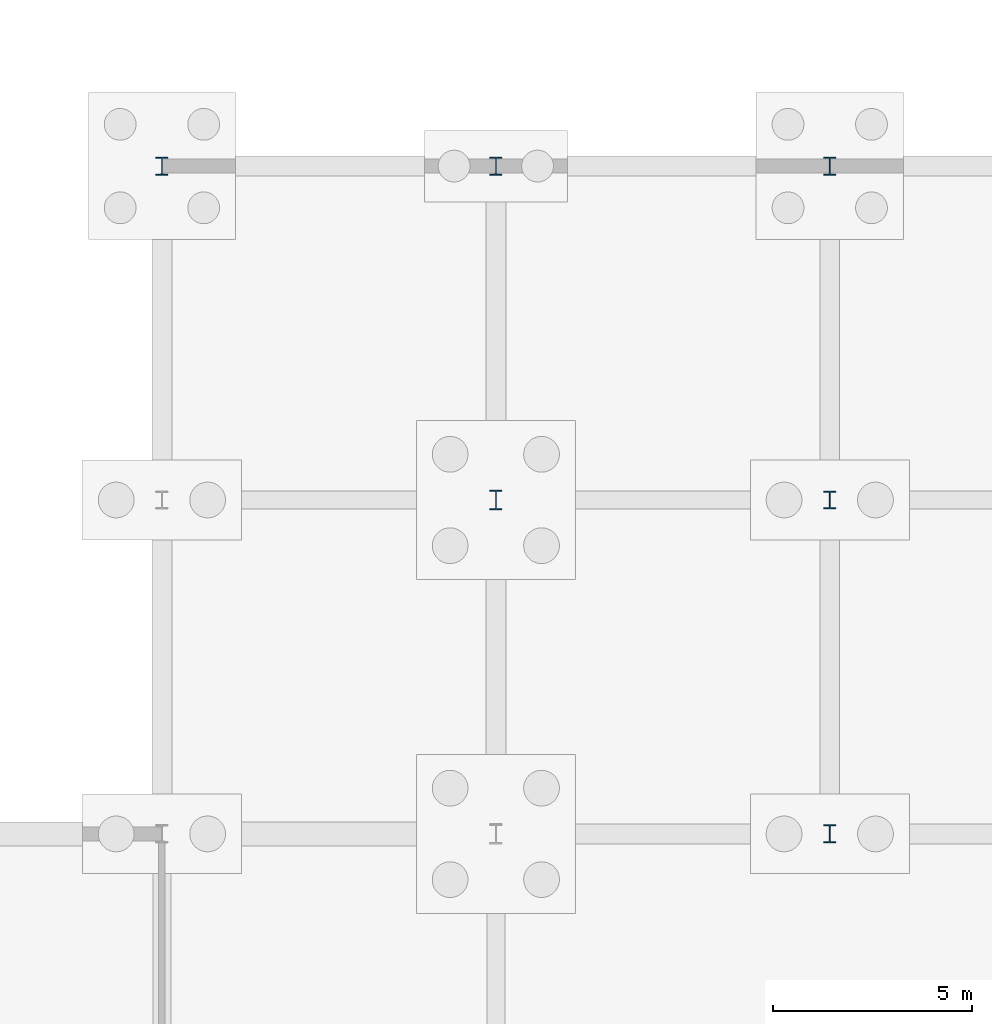
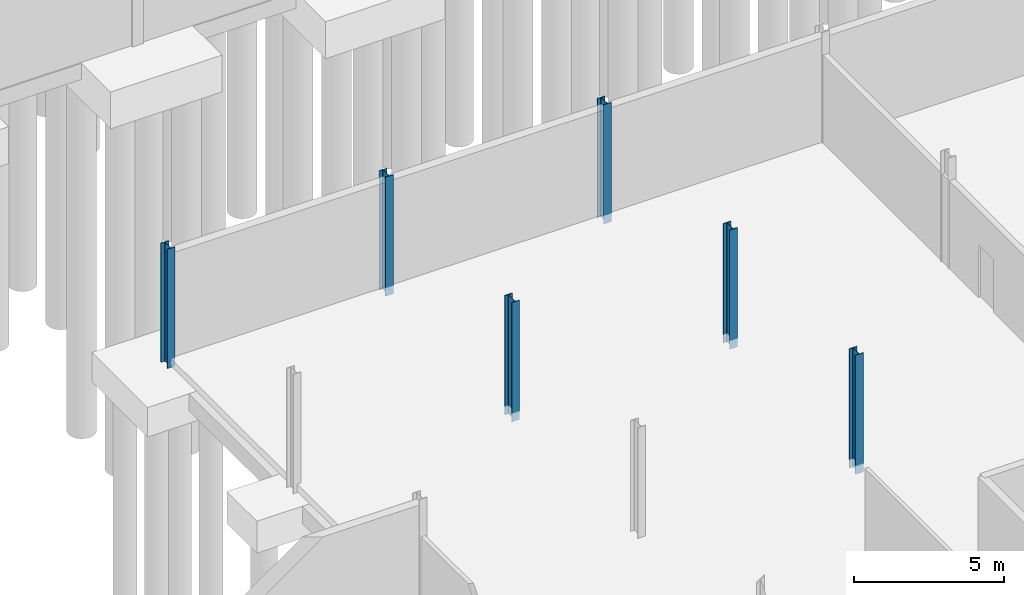
# One storey, part 19 of 51: 6 columns.
"""IFC4 building model written with IfcOpenShell, lengths in metres."""

from ifc_helpers import new_model, si_unit, direction, frame, origin, origin_2d, place, context, subcontext, project, spatial, i_section, extrude, material, material_profile, profile_set, type_object, element, save


model = new_model("IFC4")

# Units and contexts
model_context = context("Model", 3, precision=1e-05, world=origin(), true_north=direction((0.0, 1.0)))
body_context = subcontext(model_context, "Body", "Model", "MODEL_VIEW")
ifc_project = project(units=[si_unit("LENGTHUNIT", "METRE"), si_unit("AREAUNIT", "SQUARE_METRE"), si_unit("VOLUMEUNIT", "CUBIC_METRE"), si_unit("PLANEANGLEUNIT", "RADIAN"), si_unit("MASSUNIT", "GRAM", prefix="KILO")], contexts=[model_context])

# Site, building, storey
site_placement = place(None, origin())
site = spatial("IfcSite", under=ifc_project, at=site_placement, CompositionType="ELEMENT")
building_placement = place(site_placement, origin())
building = spatial("IfcBuilding", under=site, at=building_placement, Name="Qalvenar Corner Mobility Hub", CompositionType="ELEMENT")
storey_placement = place(building_placement, frame((0.0, 0.0, -4.5)))
storey = spatial("IfcBuildingStorey", under=building, at=storey_placement, Name="B1", CompositionType="ELEMENT", Elevation=-4.5)

# Columns
ifc_material = material(Name="Steel S355", Category="steel")
ifc_material_profile_1 = material_profile(ifc_material, i_section(OverallWidth=0.300048828125, OverallDepth=0.449951171875, WebThickness=0.013916015625, FlangeThickness=0.02587890625, FilletRadius=0.027099609375, at=origin_2d()), Name="HEB450")
ifc_profile_set_1 = profile_set([ifc_material_profile_1], Name="Steel S355")
column_type_1 = type_object("IfcColumnType", Name="COL-HEB450", PredefinedType="COLUMN", material=ifc_profile_set_1)
for number, where, z_axis, x_axis, name in (
    (1, (109.199951171875, 50.39990234375, -0.35009765625), (0.0, 0.0, 1.0), (1.0, 0.0, 0.0), "Steel Column B1-G14-6"),
    (2, (117.60009765625, 50.39990234375, -0.35009765625), (0.0, 0.0, 1.0), (1.0, 0.0, 0.0), "Steel Column B1-G15-6"),
    (3, (126.0, 33.60009765625, -0.35009765625), (0.0, 0.0, 1.0), (1.0, 0.0, 0.0), "Steel Column B1-G16-4"),
    (4, (126.0, 42.0, -0.35009765625), (0.0, 0.0, 1.0), (1.0, 0.0, 0.0), "Steel Column B1-G16-5"),
    (5, (126.0, 50.39990234375, -0.35009765625), (0.0, 0.0, 1.0), (1.0, 0.0, 0.0), "Steel Column B1-G16-6"),
):
    element("IfcColumn", number, at=place(storey_placement, frame(where, z_axis=z_axis, x_axis=x_axis)), inside=storey, type_object=column_type_1, Name=name, PredefinedType="COLUMN", context=body_context, shape_type="SweptSolid", body=[
        extrude(i_section(OverallWidth=0.300048828125, OverallDepth=0.449951171875, WebThickness=0.013916015625, FlangeThickness=0.02587890625, FilletRadius=0.027099609375, at=origin_2d()), origin(), (0.0, 0.0, 1.0), 4.85009765625),
    ])
ifc_material_profile_2 = material_profile(ifc_material, i_section(OverallWidth=0.300048828125, OverallDepth=0.5, WebThickness=0.014404296875, FlangeThickness=0.028076171875, FilletRadius=0.027099609375, at=origin_2d()), Name="HEB500")
ifc_profile_set_2 = profile_set([ifc_material_profile_2], Name="Steel S355")
column_type_2 = type_object("IfcColumnType", Name="COL-HEB500", PredefinedType="COLUMN", material=ifc_profile_set_2)
column_placement = place(storey_placement, frame((117.60009765625, 42.0, -0.35009765625), z_axis=(0.0, 0.0, 1.0), x_axis=(1.0, 0.0, 0.0)))
element("IfcColumn", 6, at=column_placement, inside=storey, type_object=column_type_2, Name="Steel Column B1-G15-5", PredefinedType="COLUMN", context=body_context, shape_type="SweptSolid", body=[
    extrude(i_section(OverallWidth=0.300048828125, OverallDepth=0.5, WebThickness=0.014404296875, FlangeThickness=0.028076171875, FilletRadius=0.027099609375, at=origin_2d()), origin(), (0.0, 0.0, 1.0), 4.85009765625),
])

save(model, "model.ifc")
